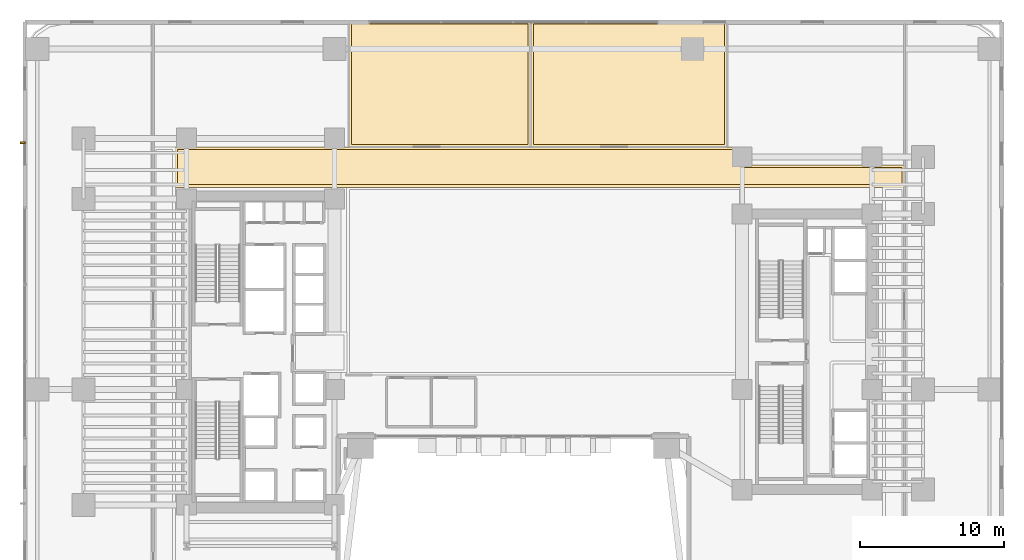
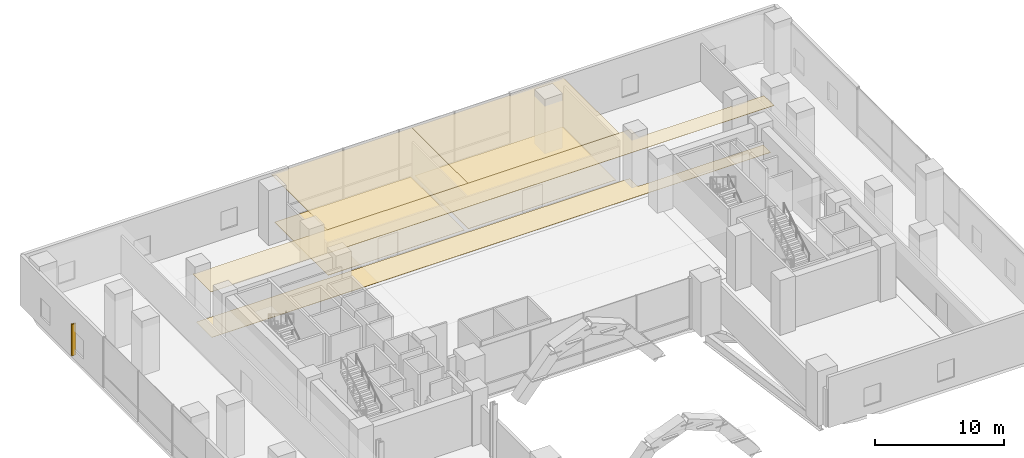
# One storey, part 38 of 39: 6 coverings, 1 shading device.
"""IFC4 building model written with IfcOpenShell, lengths in metres."""

from ifc_helpers import new_model, si_unit, direction, frame, origin, origin_2d, place, context, subcontext, project, spatial, polyline, rectangle, outline, extrude, source, transform, mapped, material, layer, layer_set, type_object, element, save


model = new_model("IFC4")

# Units and contexts
model_context = context("Model", 3, precision=1e-05, world=origin(), true_north=direction((0.0, 1.0)))
body_context = subcontext(model_context, "Body", "Model", "MODEL_VIEW")
ifc_project = project(units=[si_unit("LENGTHUNIT", "METRE"), si_unit("AREAUNIT", "SQUARE_METRE"), si_unit("VOLUMEUNIT", "CUBIC_METRE"), si_unit("PLANEANGLEUNIT", "RADIAN"), si_unit("MASSUNIT", "GRAM", prefix="KILO")], contexts=[model_context])

# Site, building, storey
site_placement = place(None, origin())
site = spatial("IfcSite", under=ifc_project, at=site_placement, CompositionType="ELEMENT")
building_placement = place(site_placement, origin())
building = spatial("IfcBuilding", under=site, at=building_placement, Name="Valdorenza Pilgrim Sanctuary Tower", CompositionType="ELEMENT")
storey_placement = place(building_placement, frame((0.0, 0.0, 15.60009765625)))
storey = spatial("IfcBuildingStorey", under=building, at=storey_placement, Name="L03", CompositionType="ELEMENT", Elevation=15.60009765625)

# Coverings
ifc_material_1 = material(Name="Micro-perforated acoustic mineral ceiling tile", Category="gypsum")
ifc_layer_1 = layer(ifc_material_1, 0.02490234375, Name="Micro-perforated acoustic mineral ceiling tile")
ifc_layer_set_1 = layer_set([ifc_layer_1], Name="Micro-perforated acoustic mineral ceiling tile")
covering_type_1 = type_object("IfcCoveringType", Name="COV-CLG-ACU", PredefinedType="CEILING", material=ifc_layer_set_1)
covering_1_placement = place(storey_placement, frame((0.0, 0.0, 4.5)))
element("IfcCovering", 1, at=covering_1_placement, inside=storey, type_object=covering_type_1, Name="L03 Sacred Tapestry Archive Acoustic Ceiling", PredefinedType="CEILING", context=body_context, shape_type="SweptSolid", body=[
    extrude(outline(polyline([(-11.39990234375, 14.18505859375), (-11.401611328125, 14.18505859375), (-11.40283203125, 14.185302734375), (-11.404296875, 14.185546875), (-11.40576171875, 14.18603515625), (-11.406982421875, 14.186767578125), (-11.408203125, 14.1875), (-11.409423828125, 14.1884765625), (-11.41064453125, 14.189453125), (-11.41162109375, 14.1904296875), (-11.41259765625, 14.191650390625), (-11.4130859375, 14.19287109375), (-11.413818359375, 14.1943359375), (-11.414306640625, 14.195556640625), (-11.414794921875, 14.197021484375), (-11.414794921875, 14.198486328125), (-11.4150390625, 14.199951171875), (-11.4150390625, 22.889892578125), (-11.414794921875, 22.8916015625), (-11.414794921875, 22.892822265625), (-11.414306640625, 22.894287109375), (-11.413818359375, 22.895751953125), (-11.4130859375, 22.897216796875), (-11.41259765625, 22.898193359375), (-11.41162109375, 22.8994140625), (-11.41064453125, 22.900634765625), (-11.409423828125, 22.901611328125), (-11.408203125, 22.902587890625), (-11.406982421875, 22.9033203125), (-11.40576171875, 22.90380859375), (-11.404296875, 22.904296875), (-11.40283203125, 22.90478515625), (-11.401611328125, 22.90478515625), (-11.39990234375, 22.905029296875), (1.199951171875, 22.905029296875), (1.201416015625, 22.90478515625), (1.202880859375, 22.90478515625), (1.204345703125, 22.904296875), (1.205810546875, 22.90380859375), (1.20703125, 22.9033203125), (1.208251953125, 22.902587890625), (1.20947265625, 22.901611328125), (1.210693359375, 22.900634765625), (1.211669921875, 22.8994140625), (1.21240234375, 22.898193359375), (1.213134765625, 22.897216796875), (1.2138671875, 22.895751953125), (1.21435546875, 22.894287109375), (1.214599609375, 22.892822265625), (1.21484375, 22.8916015625), (1.215087890625, 22.889892578125), (1.215087890625, 14.199951171875), (1.21484375, 14.198486328125), (1.214599609375, 14.197021484375), (1.21435546875, 14.195556640625), (1.2138671875, 14.1943359375), (1.213134765625, 14.19287109375), (1.21240234375, 14.191650390625), (1.211669921875, 14.1904296875), (1.210693359375, 14.189453125), (1.20947265625, 14.1884765625), (1.208251953125, 14.1875), (1.20703125, 14.186767578125), (1.205810546875, 14.18603515625), (1.204345703125, 14.185546875), (1.202880859375, 14.185302734375), (1.201416015625, 14.18505859375), (1.199951171875, 14.18505859375), (-11.39990234375, 14.18505859375)])), origin(), (0.0, 0.0, 1.0), 0.02490234375),
])
covering_2_placement = place(storey_placement, frame((0.0, 0.0, 4.5)))
element("IfcCovering", 2, at=covering_2_placement, inside=storey, type_object=covering_type_1, Name="L03 Curator Research Office Acoustic Ceiling", PredefinedType="CEILING", context=body_context, shape_type="SweptSolid", body=[
    extrude(outline(polyline([(1.201904296875, 14.18505859375), (1.200439453125, 14.18505859375), (1.19921875, 14.185302734375), (1.197509765625, 14.185546875), (1.1962890625, 14.18603515625), (1.19482421875, 14.186767578125), (1.193603515625, 14.1875), (1.1923828125, 14.1884765625), (1.19140625, 14.189453125), (1.1904296875, 14.1904296875), (1.189453125, 14.191650390625), (1.188720703125, 14.19287109375), (1.18798828125, 14.1943359375), (1.1875, 14.195556640625), (1.187255859375, 14.197021484375), (1.18701171875, 14.198486328125), (1.18701171875, 14.199951171875), (1.18701171875, 22.889892578125), (1.18701171875, 22.8916015625), (1.187255859375, 22.892822265625), (1.1875, 22.894287109375), (1.18798828125, 22.895751953125), (1.188720703125, 22.897216796875), (1.189453125, 22.898193359375), (1.1904296875, 22.8994140625), (1.19140625, 22.900634765625), (1.1923828125, 22.901611328125), (1.193603515625, 22.902587890625), (1.19482421875, 22.9033203125), (1.1962890625, 22.90380859375), (1.197509765625, 22.904296875), (1.19921875, 22.90478515625), (1.200439453125, 22.90478515625), (1.201904296875, 22.905029296875), (14.800048828125, 22.905029296875), (14.801513671875, 22.90478515625), (14.802978515625, 22.90478515625), (14.804443359375, 22.904296875), (14.8056640625, 22.90380859375), (14.80712890625, 22.9033203125), (14.808349609375, 22.902587890625), (14.8095703125, 22.901611328125), (14.810546875, 22.900634765625), (14.8115234375, 22.8994140625), (14.8125, 22.898193359375), (14.813232421875, 22.897216796875), (14.81396484375, 22.895751953125), (14.814453125, 22.894287109375), (14.814697265625, 22.892822265625), (14.81494140625, 22.8916015625), (14.81494140625, 22.889892578125), (14.81494140625, 14.199951171875), (14.81494140625, 14.198486328125), (14.814697265625, 14.197021484375), (14.814453125, 14.195556640625), (14.81396484375, 14.1943359375), (14.813232421875, 14.19287109375), (14.8125, 14.191650390625), (14.8115234375, 14.1904296875), (14.810546875, 14.189453125), (14.8095703125, 14.1884765625), (14.808349609375, 14.1875), (14.80712890625, 14.186767578125), (14.8056640625, 14.18603515625), (14.804443359375, 14.185546875), (14.802978515625, 14.185302734375), (14.801513671875, 14.18505859375), (14.800048828125, 14.18505859375), (1.201904296875, 14.18505859375)])), origin(), (0.0, 0.0, 1.0), 0.02490234375),
])
covering_3_placement = place(storey_placement, frame((0.0, 0.0, 4.5)))
element("IfcCovering", 3, at=covering_3_placement, inside=storey, type_object=covering_type_1, Name="L03 L03 Podium North Concourse Acoustic Ceiling", PredefinedType="CEILING", context=body_context, shape_type="SweptSolid", body=[
    extrude(outline(polyline([(-23.447998046875, 11.405029296875), (-23.449462890625, 11.405029296875), (-23.450927734375, 11.4052734375), (-23.452392578125, 11.405517578125), (-23.45361328125, 11.406005859375), (-23.455078125, 11.40673828125), (-23.456298828125, 11.407470703125), (-23.45751953125, 11.408447265625), (-23.45849609375, 11.409423828125), (-23.459716796875, 11.410400390625), (-23.46044921875, 11.41162109375), (-23.461181640625, 11.412841796875), (-23.4619140625, 11.414306640625), (-23.46240234375, 11.41552734375), (-23.462646484375, 11.4169921875), (-23.462890625, 11.41845703125), (-23.462890625, 11.419921875), (-23.462890625, 14.199951171875), (-23.462890625, 14.201416015625), (-23.462646484375, 14.202880859375), (-23.46240234375, 14.204345703125), (-23.4619140625, 14.205810546875), (-23.461181640625, 14.20703125), (-23.46044921875, 14.208251953125), (-23.459716796875, 14.20947265625), (-23.45849609375, 14.210693359375), (-23.45751953125, 14.211669921875), (-23.456298828125, 14.21240234375), (-23.455078125, 14.213134765625), (-23.45361328125, 14.2138671875), (-23.452392578125, 14.21435546875), (-23.450927734375, 14.214599609375), (-23.449462890625, 14.21484375), (-23.447998046875, 14.215087890625), (-11.402099609375, 14.215087890625), (-11.400390625, 14.21484375), (-11.39892578125, 14.214599609375), (-11.3974609375, 14.21435546875), (-11.39599609375, 14.2138671875), (-11.394775390625, 14.213134765625), (-11.39453125, 14.212890625), (1.1982421875, 14.212890625), (1.198974609375, 14.213134765625), (1.200439453125, 14.21337890625), (1.201904296875, 14.213134765625), (1.20361328125, 14.213134765625), (1.203857421875, 14.212890625), (14.79443359375, 14.212890625), (14.794677734375, 14.213134765625), (14.796142578125, 14.2138671875), (14.797607421875, 14.21435546875), (14.799072265625, 14.214599609375), (14.800537109375, 14.21484375), (14.802001953125, 14.215087890625), (15.85009765625, 14.215087890625), (15.8515625, 14.21484375), (15.852783203125, 14.214599609375), (15.8544921875, 14.21435546875), (15.855712890625, 14.2138671875), (15.857177734375, 14.213134765625), (15.8583984375, 14.21240234375), (15.859619140625, 14.211669921875), (15.860595703125, 14.210693359375), (15.861572265625, 14.20947265625), (15.862548828125, 14.208251953125), (15.86328125, 14.20703125), (15.864013671875, 14.205810546875), (15.864501953125, 14.204345703125), (15.86474609375, 14.202880859375), (15.864990234375, 14.201416015625), (15.864990234375, 14.199951171875), (15.864990234375, 12.965087890625), (27.097900390625, 12.965087890625), (27.099609375, 12.96484375), (27.100830078125, 12.964599609375), (27.102294921875, 12.96435546875), (27.103759765625, 12.9638671875), (27.10498046875, 12.963134765625), (27.106201171875, 12.96240234375), (27.107421875, 12.961669921875), (27.108642578125, 12.960693359375), (27.109619140625, 12.95947265625), (27.110595703125, 12.958251953125), (27.111083984375, 12.95703125), (27.11181640625, 12.955810546875), (27.1123046875, 12.954345703125), (27.11279296875, 12.952880859375), (27.11279296875, 12.951416015625), (27.113037109375, 12.949951171875), (27.113037109375, 11.419921875), (27.11279296875, 11.41845703125), (27.11279296875, 11.4169921875), (27.1123046875, 11.41552734375), (27.11181640625, 11.414306640625), (27.111083984375, 11.412841796875), (27.110595703125, 11.41162109375), (27.109619140625, 11.410400390625), (27.108642578125, 11.409423828125), (27.107421875, 11.408447265625), (27.106201171875, 11.407470703125), (27.10498046875, 11.40673828125), (27.103759765625, 11.406005859375), (27.102294921875, 11.405517578125), (27.100830078125, 11.4052734375), (27.099609375, 11.405029296875), (27.097900390625, 11.405029296875), (-23.447998046875, 11.405029296875)])), origin(), (0.0, 0.0, 1.0), 0.02490234375),
])
ifc_material_2 = material(Name="Honed travertine stone flooring", Category="masonry")
ifc_layer_2 = layer(ifc_material_2, 0.030029296875, Name="Honed travertine stone flooring")
ifc_layer_set_2 = layer_set([ifc_layer_2], Name="Honed travertine stone flooring")
covering_type_2 = type_object("IfcCoveringType", Name="COV-FLR-TRV", PredefinedType="FLOORING", material=ifc_layer_set_2)
covering_4_placement = place(storey_placement, origin())
element("IfcCovering", 4, at=covering_4_placement, inside=storey, type_object=covering_type_2, Name="L03 Sacred Tapestry Archive Flooring", PredefinedType="FLOORING", context=body_context, shape_type="SweptSolid", body=[
    extrude(outline(polyline([(-11.219970703125, 14.3798828125), (-11.219970703125, 22.7099609375), (1.02001953125, 22.7099609375), (1.02001953125, 14.3798828125), (-11.219970703125, 14.3798828125)])), origin(), (0.0, 0.0, 1.0), 0.02490234375),
])
covering_5_placement = place(storey_placement, origin())
element("IfcCovering", 5, at=covering_5_placement, inside=storey, type_object=covering_type_2, Name="L03 Curator Research Office Flooring", PredefinedType="FLOORING", context=body_context, shape_type="SweptSolid", body=[
    extrude(outline(polyline([(1.382080078125, 14.3798828125), (1.382080078125, 22.7099609375), (14.6201171875, 22.7099609375), (14.6201171875, 14.3798828125), (1.382080078125, 14.3798828125)])), origin(), (0.0, 0.0, 1.0), 0.02490234375),
])
covering_6_placement = place(storey_placement, origin())
element("IfcCovering", 6, at=covering_6_placement, inside=storey, type_object=covering_type_2, Name="L03 L03 Podium North Concourse Flooring", PredefinedType="FLOORING", context=body_context, shape_type="SweptSolid", body=[
    extrude(outline(polyline([(-23.26806640625, 11.60009765625), (-23.26806640625, 14.02001953125), (-11.427001953125, 14.02001953125), (-11.4267578125, 14.02001953125), (-11.426513671875, 14.02001953125), (-11.408935546875, 14.018310546875), (-11.40869140625, 14.018310546875), (-11.39990234375, 14.01806640625), (1.199951171875, 14.01806640625), (1.200927734375, 14.01806640625), (1.20166015625, 14.01806640625), (1.201904296875, 14.01806640625), (14.800048828125, 14.01806640625), (14.80029296875, 14.01806640625), (15.669921875, 14.019775390625), (15.669921875, 12.949951171875), (15.6708984375, 12.932373046875), (15.673583984375, 12.914794921875), (15.677734375, 12.897705078125), (15.68359375, 12.881103515625), (15.69140625, 12.864990234375), (15.7001953125, 12.85009765625), (15.7109375, 12.835693359375), (15.72265625, 12.82275390625), (15.73583984375, 12.810791015625), (15.75, 12.80029296875), (15.76513671875, 12.791259765625), (15.781005859375, 12.78369140625), (15.797607421875, 12.77783203125), (15.81494140625, 12.7734375), (15.83251953125, 12.77099609375), (15.85009765625, 12.77001953125), (26.91796875, 12.77001953125), (26.91796875, 11.60009765625), (-23.26806640625, 11.60009765625)])), origin(), (0.0, 0.0, 1.0), 0.02490234375),
])

# Shading device
ifc_material_3 = material(Name="Champagne anodised aluminium", Category="aluminium")
shading_device_type = type_object("IfcShadingDeviceType", Name="SHD-FIN-TRV", PredefinedType="SHUTTER", material=ifc_material_3)
shared_shape = source(origin(), body_context, "Body", "SweptSolid", [
    extrude(rectangle(XDim=0.35009765625, YDim=0.1201171875, at=origin_2d()), origin(), (0.0, 0.0, 1.0), 3.0),
])
shading_device_placement = place(storey_placement, frame((-34.02001953125, 14.5, 0.349853515625), z_axis=(0.0, 0.0, 1.0), x_axis=(1.0, 0.0, 0.0)))
element("IfcShadingDevice", 7, at=shading_device_placement, inside=storey, type_object=shading_device_type, Name="L03 West Solar Shading Fin 2", PredefinedType="SHUTTER", context=body_context, shape_type="MappedRepresentation", body=[
    mapped(shared_shape, transform((0.0, 0.0, 0.0), x_axis=(1.0, 0.0, 0.0), y_axis=(0.0, 1.0, 0.0), z_axis=(0.0, 0.0, 1.0), scale=1.0)),
])

save(model, "model.ifc")
